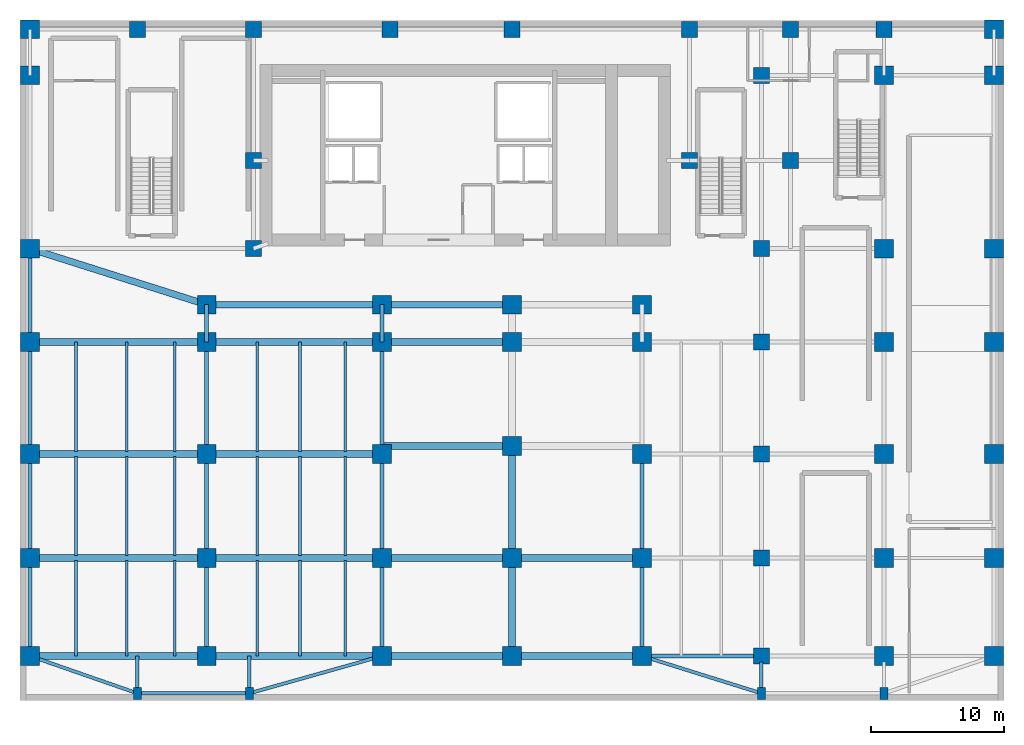
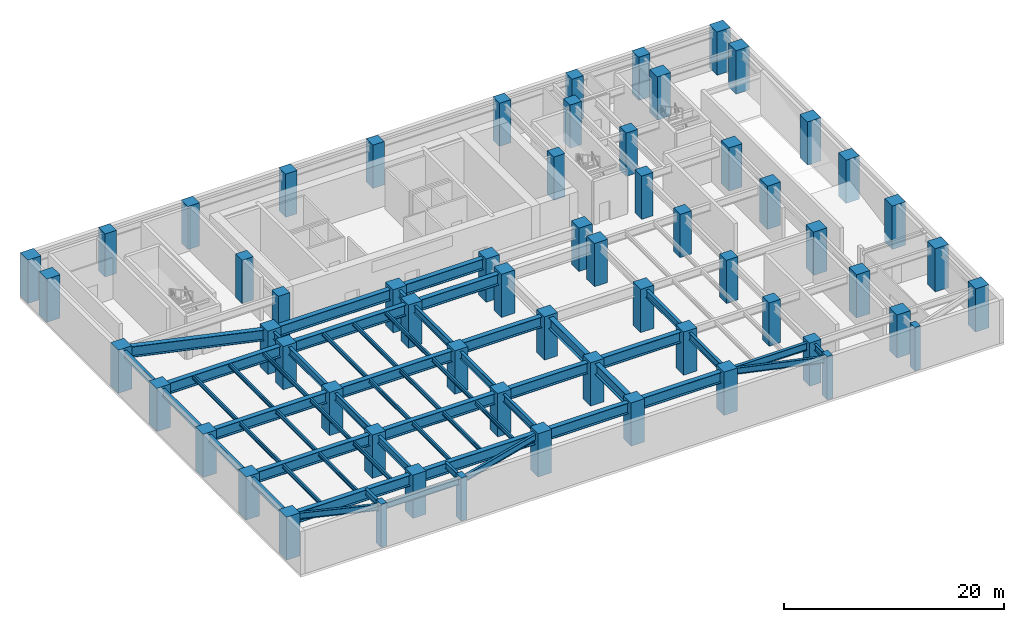
# One storey, part 1 of 8: 61 columns, 59 beams.
"""IFC4 building model written with IfcOpenShell, lengths in metres."""

from ifc_helpers import new_model, si_unit, direction, frame, origin, origin_2d, place, context, subcontext, project, spatial, rectangle, i_section, extrude, source, transform, mapped, material, material_profile, profile_set, type_object, type_shapes, element, save


model = new_model("IFC4")

# Units and contexts
model_context = context("Model", 3, precision=1e-05, world=origin(), true_north=direction((0.0, 1.0)))
body_context = subcontext(model_context, "Body", "Model", "MODEL_VIEW")
ifc_project = project(units=[si_unit("LENGTHUNIT", "METRE"), si_unit("AREAUNIT", "SQUARE_METRE"), si_unit("VOLUMEUNIT", "CUBIC_METRE"), si_unit("PLANEANGLEUNIT", "RADIAN"), si_unit("MASSUNIT", "GRAM", prefix="KILO")], contexts=[model_context])

# Site, building, storey
site_placement = place(None, origin())
site = spatial("IfcSite", under=ifc_project, at=site_placement, CompositionType="ELEMENT")
building_placement = place(site_placement, origin())
building = spatial("IfcBuilding", under=site, at=building_placement, Name="Tolvann Quenvar Hotel", CompositionType="ELEMENT")
storey_placement = place(building_placement, frame((0.0, 0.0, -9.60009765625)))
storey = spatial("IfcBuildingStorey", under=building, at=storey_placement, Name="B02", CompositionType="ELEMENT", Elevation=-9.60009765625)

# Columns
ifc_material_1 = material(Name="Concrete S80 (80 MPa)", Category="concrete")
ifc_material_profile_1 = material_profile(ifc_material_1, rectangle(XDim=1.39990234375, YDim=1.39990234375, at=origin_2d()), Name="RC1400x1400")
ifc_profile_set_1 = profile_set([ifc_material_profile_1], Name="Concrete S80 (80 MPa)")
column_type_1 = type_object("IfcColumnType", Name="COL_RC1400", PredefinedType="COLUMN", material=ifc_profile_set_1)
shared_shape_1 = source(origin(), body_context, "Body", "SweptSolid", [
    extrude(rectangle(XDim=1.39990234375, YDim=1.39990234375, at=origin_2d()), origin(), (0.0, 0.0, 1.0), 4.800048828125),
])
type_shapes(column_type_1, [shared_shape_1])
for number, where, z_axis, x_axis, name in (
    (1, (-7.64990234375, 0.85009765625, 0.0), (0.0, 0.0, 1.0), (1.0, 0.0, 0.0), "Column PA1 (B02)"),
    (2, (64.64990234375, 0.85009765625, 0.0), (0.0, 0.0, 1.0), (1.0, 0.0, 0.0), "Column PK1 (B02)"),
    (3, (-7.64990234375, 8.199951171875, 0.0), (0.0, 0.0, 1.0), (1.0, 0.0, 0.0), "Column PA2 (B02)"),
    (4, (64.64990234375, 8.199951171875, 0.0), (0.0, 0.0, 1.0), (1.0, 0.0, 0.0), "Column PK2 (B02)"),
    (5, (-7.64990234375, 16.0, 0.0), (0.0, 0.0, 1.0), (1.0, 0.0, 0.0), "Column PA3 (B02)"),
    (6, (64.64990234375, 16.0, 0.0), (0.0, 0.0, 1.0), (1.0, 0.0, 0.0), "Column PK3 (B02)"),
    (7, (-7.64990234375, 24.39990234375, 0.0), (0.0, 0.0, 1.0), (1.0, 0.0, 0.0), "Column PA4 (B02)"),
    (8, (64.64990234375, 24.39990234375, 0.0), (0.0, 0.0, 1.0), (1.0, 0.0, 0.0), "Column PK4 (B02)"),
    (9, (-7.64990234375, 31.39990234375, 0.0), (0.0, 0.0, 1.0), (1.0, 0.0, 0.0), "Column PA5 (B02)"),
    (10, (64.64990234375, 31.39990234375, 0.0), (0.0, 0.0, 1.0), (1.0, 0.0, 0.0), "Column PK5 (B02)"),
    (11, (-7.64990234375, 44.39990234375, 0.0), (0.0, 0.0, 1.0), (1.0, 0.0, 0.0), "Column PA6 (B02)"),
    (12, (64.64990234375, 44.39990234375, 0.0), (0.0, 0.0, 1.0), (1.0, 0.0, 0.0), "Column PK6 (B02)"),
    (13, (-7.64990234375, 47.85009765625, 0.0), (0.0, 0.0, 1.0), (1.0, 0.0, 0.0), "Column PAN (B02)"),
    (14, (64.64990234375, 47.85009765625, 0.0), (0.0, 0.0, 1.0), (1.0, 0.0, 0.0), "Column PKN (B02)"),
    (15, (18.75, 0.85009765625, 0.0), (0.0, 0.0, 1.0), (1.0, 0.0, 0.0), "Column PAPW1 (B02)"),
    (16, (38.25, 0.85009765625, 0.0), (0.0, 0.0, 1.0), (1.0, 0.0, 0.0), "Column PAPE1 (B02)"),
    (17, (18.75, 8.199951171875, 0.0), (0.0, 0.0, 1.0), (1.0, 0.0, 0.0), "Column PAPW2 (B02)"),
    (18, (38.25, 8.199951171875, 0.0), (0.0, 0.0, 1.0), (1.0, 0.0, 0.0), "Column PAPE2 (B02)"),
    (19, (18.75, 16.0, 0.0), (0.0, 0.0, 1.0), (1.0, 0.0, 0.0), "Column PAPW3 (B02)"),
    (20, (38.25, 16.0, 0.0), (0.0, 0.0, 1.0), (1.0, 0.0, 0.0), "Column PAPE3 (B02)"),
    (21, (18.75, 24.39990234375, 0.0), (0.0, 0.0, 1.0), (1.0, 0.0, 0.0), "Column PAPW4 (B02)"),
    (22, (38.25, 24.39990234375, 0.0), (0.0, 0.0, 1.0), (1.0, 0.0, 0.0), "Column PAPE4 (B02)"),
    (23, (18.75, 27.199951171875, 0.0), (0.0, 0.0, 1.0), (1.0, 0.0, 0.0), "Column PAPW5 (B02)"),
    (24, (38.25, 27.199951171875, 0.0), (0.0, 0.0, 1.0), (1.0, 0.0, 0.0), "Column PAPE5 (B02)"),
    (25, (56.39990234375, 0.85009765625, 0.0), (0.0, 0.0, 1.0), (1.0, 0.0, 0.0), "Column PJ1 (B02)"),
    (26, (56.39990234375, 8.199951171875, 0.0), (0.0, 0.0, 1.0), (1.0, 0.0, 0.0), "Column PJ2 (B02)"),
    (27, (56.39990234375, 16.0, 0.0), (0.0, 0.0, 1.0), (1.0, 0.0, 0.0), "Column PJ3 (B02)"),
    (28, (56.39990234375, 24.39990234375, 0.0), (0.0, 0.0, 1.0), (1.0, 0.0, 0.0), "Column PJ4 (B02)"),
    (29, (56.39990234375, 31.39990234375, 0.0), (0.0, 0.0, 1.0), (1.0, 0.0, 0.0), "Column PJ5 (B02)"),
    (30, (56.39990234375, 44.39990234375, 0.0), (0.0, 0.0, 1.0), (1.0, 0.0, 0.0), "Column PJ6 (B02)"),
    (31, (5.60009765625, 0.85009765625, 0.0), (0.0, 0.0, 1.0), (1.0, 0.0, 0.0), "Column PBAL1 (B02)"),
    (32, (5.60009765625, 8.199951171875, 0.0), (0.0, 0.0, 1.0), (1.0, 0.0, 0.0), "Column PBAL2 (B02)"),
    (33, (5.60009765625, 16.0, 0.0), (0.0, 0.0, 1.0), (1.0, 0.0, 0.0), "Column PBAL3 (B02)"),
    (34, (5.60009765625, 24.39990234375, 0.0), (0.0, 0.0, 1.0), (1.0, 0.0, 0.0), "Column PBAL4 (B02)"),
    (35, (5.60009765625, 27.199951171875, 0.0), (0.0, 0.0, 1.0), (1.0, 0.0, 0.0), "Column PBAL5 (B02)"),
    (36, (28.5, 0.85009765625, 0.0), (0.0, 0.0, 1.0), (1.0, 0.0, 0.0), "Column PARCH1 (B02)"),
    (37, (28.5, 8.199951171875, 0.0), (0.0, 0.0, 1.0), (1.0, 0.0, 0.0), "Column PARCH2 (B02)"),
    (38, (28.5, 16.60009765625, 0.0), (0.0, 0.0, 1.0), (1.0, 0.0, 0.0), "Column PARCH3 (B02)"),
    (39, (28.5, 24.39990234375, 0.0), (0.0, 0.0, 1.0), (1.0, 0.0, 0.0), "Column PARCH4 (B02)"),
    (40, (28.5, 27.199951171875, 0.0), (0.0, 0.0, 1.0), (1.0, 0.0, 0.0), "Column PARCH5 (B02)"),
):
    element("IfcColumn", number, at=place(storey_placement, frame(where, z_axis=z_axis, x_axis=x_axis)), inside=storey, type_object=column_type_1, Name=name, PredefinedType="COLUMN", context=body_context, shape_type="MappedRepresentation", body=[
        mapped(shared_shape_1, transform((0.0, 0.0, 0.0), x_axis=(1.0, 0.0, 0.0), y_axis=(0.0, 1.0, 0.0), z_axis=(0.0, 0.0, 1.0), scale=1.0)),
    ])
ifc_material_profile_2 = material_profile(ifc_material_1, rectangle(XDim=1.199951171875, YDim=1.199951171875, at=origin_2d()), Name="RC1200x1200")
ifc_profile_set_2 = profile_set([ifc_material_profile_2], Name="Concrete S80 (80 MPa)")
column_type_2 = type_object("IfcColumnType", Name="COL_RC1200", PredefinedType="COLUMN", material=ifc_profile_set_2)
shared_shape_2 = source(origin(), body_context, "Body", "SweptSolid", [
    extrude(rectangle(XDim=1.199951171875, YDim=1.199951171875, at=origin_2d()), origin(), (0.0, 0.0, 1.0), 4.800048828125),
])
type_shapes(column_type_2, [shared_shape_2])
for number, where, z_axis, x_axis, name in (
    (41, (47.199951171875, 0.85009765625, 0.0), (0.0, 0.0, 1.0), (1.0, 0.0, 0.0), "Column PH1 (B02)"),
    (42, (47.199951171875, 8.199951171875, 0.0), (0.0, 0.0, 1.0), (1.0, 0.0, 0.0), "Column PH2 (B02)"),
    (43, (47.199951171875, 16.0, 0.0), (0.0, 0.0, 1.0), (1.0, 0.0, 0.0), "Column PH3 (B02)"),
    (44, (47.199951171875, 24.39990234375, 0.0), (0.0, 0.0, 1.0), (1.0, 0.0, 0.0), "Column PH4 (B02)"),
    (45, (47.199951171875, 31.39990234375, 0.0), (0.0, 0.0, 1.0), (1.0, 0.0, 0.0), "Column PH5 (B02)"),
    (46, (47.199951171875, 44.39990234375, 0.0), (0.0, 0.0, 1.0), (1.0, 0.0, 0.0), "Column PH6 (B02)"),
    (47, (0.39990234375, 47.85009765625, 0.0), (0.0, 0.0, 1.0), (1.0, 0.0, 0.0), "Column PN1 (B02)"),
    (48, (9.10009765625, 47.85009765625, 0.0), (0.0, 0.0, 1.0), (1.0, 0.0, 0.0), "Column PN2 (B02)"),
    (49, (19.35009765625, 47.85009765625, 0.0), (0.0, 0.0, 1.0), (1.0, 0.0, 0.0), "Column PN3 (B02)"),
    (50, (28.5, 47.85009765625, 0.0), (0.0, 0.0, 1.0), (1.0, 0.0, 0.0), "Column PN4 (B02)"),
    (51, (41.800048828125, 47.85009765625, 0.0), (0.0, 0.0, 1.0), (1.0, 0.0, 0.0), "Column PN5 (B02)"),
    (52, (49.39990234375, 47.85009765625, 0.0), (0.0, 0.0, 1.0), (1.0, 0.0, 0.0), "Column PN6 (B02)"),
    (53, (56.39990234375, 47.85009765625, 0.0), (0.0, 0.0, 1.0), (1.0, 0.0, 0.0), "Column PN7 (B02)"),
    (54, (9.10009765625, 38.0, 0.0), (0.0, 0.0, 1.0), (1.0, 0.0, 0.0), "Column PCN (B02)"),
    (55, (41.800048828125, 38.0, 0.0), (0.0, 0.0, 1.0), (1.0, 0.0, 0.0), "Column PHN (B02)"),
    (56, (49.39990234375, 38.0, 0.0), (0.0, 0.0, 1.0), (1.0, 0.0, 0.0), "Column PIN (B02)"),
    (57, (9.10009765625, 31.39990234375, 0.0), (0.0, 0.0, 1.0), (1.0, 0.0, 0.0), "Column PCNS (B02)"),
):
    element("IfcColumn", number, at=place(storey_placement, frame(where, z_axis=z_axis, x_axis=x_axis)), inside=storey, type_object=column_type_2, Name=name, PredefinedType="COLUMN", context=body_context, shape_type="MappedRepresentation", body=[
        mapped(shared_shape_2, transform((0.0, 0.0, 0.0), x_axis=(1.0, 0.0, 0.0), y_axis=(0.0, 1.0, 0.0), z_axis=(0.0, 0.0, 1.0), scale=1.0)),
    ])
ifc_material_2 = material(Name="Concrete N50 (50 MPa)", Category="concrete")
ifc_material_profile_3 = material_profile(ifc_material_2, rectangle(XDim=0.60009765625, YDim=0.89990234375, at=origin_2d()), Name="RC600x900")
ifc_profile_set_3 = profile_set([ifc_material_profile_3], Name="Concrete N50 (50 MPa)")
column_type_3 = type_object("IfcColumnType", Name="COL_PILASTER_600x900", PredefinedType="PILASTER", material=ifc_profile_set_3)
shared_shape_3 = source(origin(), body_context, "Body", "SweptSolid", [
    extrude(rectangle(XDim=0.60009765625, YDim=0.89990234375, at=origin_2d()), origin(), (0.0, 0.0, 1.0), 4.800048828125),
])
type_shapes(column_type_3, [shared_shape_3])
for number, where, z_axis, x_axis, name in (
    (58, (0.39990234375, -1.949951171875, 0.0), (0.0, 0.0, 1.0), (1.0, 0.0, 0.0), "Column PIL-S1 (B02)"),
    (59, (8.800048828125, -1.949951171875, 0.0), (0.0, 0.0, 1.0), (1.0, 0.0, 0.0), "Column PIL-S2 (B02)"),
    (60, (47.199951171875, -1.949951171875, 0.0), (0.0, 0.0, 1.0), (1.0, 0.0, 0.0), "Column PIL-S3 (B02)"),
    (61, (56.39990234375, -1.949951171875, 0.0), (0.0, 0.0, 1.0), (1.0, 0.0, 0.0), "Column PIL-S4 (B02)"),
):
    element("IfcColumn", number, at=place(storey_placement, frame(where, z_axis=z_axis, x_axis=x_axis)), inside=storey, type_object=column_type_3, Name=name, PredefinedType="PILASTER", context=body_context, shape_type="MappedRepresentation", body=[
        mapped(shared_shape_3, transform((0.0, 0.0, 0.0), x_axis=(1.0, 0.0, 0.0), y_axis=(0.0, 1.0, 0.0), z_axis=(0.0, 0.0, 1.0), scale=1.0)),
    ])

# Beams
ifc_material_3 = material(Name="Steel Grade 350", Category="steel")
ifc_material_profile_4 = material_profile(ifc_material_3, i_section(OverallWidth=0.5, OverallDepth=1.199951171875, WebThickness=0.01611328125, FlangeThickness=0.0400390625, at=origin_2d()), Name="1200WB455")
ifc_profile_set_4 = profile_set([ifc_material_profile_4], Name="Steel Grade 350")
beam_type_1 = type_object("IfcBeamType", Name="BM_TG_1200WB455", PredefinedType="USERDEFINED", material=ifc_profile_set_4)
shared_shape_4 = source(origin(), body_context, "Body", "SweptSolid", [
    extrude(i_section(OverallWidth=0.5, OverallDepth=1.199951171875, WebThickness=0.01611328125, FlangeThickness=0.0400390625, at=origin_2d()), origin(), (0.0, 0.0, 1.0), 13.25),
])
for number, where, z_axis, x_axis, name in (
    (62, (-7.64990234375, 0.85009765625, 3.940185546875), (1.0, 0.0, 0.0), (0.0, 1.0, 0.0), "BM-B02-GW1-1"),
    (63, (-7.64990234375, 8.199951171875, 3.940185546875), (1.0, 0.0, 0.0), (0.0, 1.0, 0.0), "BM-B02-GW1-2"),
    (64, (-7.64990234375, 16.0, 3.940185546875), (1.0, 0.0, 0.0), (0.0, 1.0, 0.0), "BM-B02-GW1-3"),
    (65, (-7.64990234375, 24.39990234375, 3.940185546875), (1.0, 0.0, 0.0), (0.0, 1.0, 0.0), "BM-B02-GW1-4"),
):
    element("IfcBeam", number, at=place(storey_placement, frame(where, z_axis=z_axis, x_axis=x_axis)), inside=storey, type_object=beam_type_1, Name=name, ObjectType="TRANSFER GIRDER", PredefinedType="USERDEFINED", context=body_context, shape_type="MappedRepresentation", body=[
        mapped(shared_shape_4, transform((0.0, 0.0, 0.0), x_axis=(1.0, 0.0, 0.0), y_axis=(0.0, 1.0, 0.0), z_axis=(0.0, 0.0, 1.0), scale=1.0)),
    ])
shared_shape_5 = source(origin(), body_context, "Body", "SweptSolid", [
    extrude(i_section(OverallWidth=0.5, OverallDepth=1.199951171875, WebThickness=0.01611328125, FlangeThickness=0.0400390625, at=origin_2d()), origin(), (0.0, 0.0, 1.0), 13.14990234375),
])
for number, where, z_axis, x_axis, name in (
    (66, (5.60009765625, 0.85009765625, 3.940185546875), (1.0, 0.0, 0.0), (0.0, 1.0, 0.0), "BM-B02-GW2-1"),
    (67, (5.60009765625, 8.199951171875, 3.940185546875), (1.0, 0.0, 0.0), (0.0, 1.0, 0.0), "BM-B02-GW2-2"),
    (68, (5.60009765625, 16.0, 3.940185546875), (1.0, 0.0, 0.0), (0.0, 1.0, 0.0), "BM-B02-GW2-3"),
    (69, (5.60009765625, 24.39990234375, 3.940185546875), (1.0, 0.0, 0.0), (0.0, 1.0, 0.0), "BM-B02-GW2-4"),
    (70, (5.60009765625, 27.199951171875, 3.940185546875), (1.0, 0.0, 0.0), (0.0, 1.0, 0.0), "BM-B02-GW2-5"),
):
    element("IfcBeam", number, at=place(storey_placement, frame(where, z_axis=z_axis, x_axis=x_axis)), inside=storey, type_object=beam_type_1, Name=name, ObjectType="TRANSFER GIRDER", PredefinedType="USERDEFINED", context=body_context, shape_type="MappedRepresentation", body=[
        mapped(shared_shape_5, transform((0.0, 0.0, 0.0), x_axis=(1.0, 0.0, 0.0), y_axis=(0.0, 1.0, 0.0), z_axis=(0.0, 0.0, 1.0), scale=1.0)),
    ])
shared_shape_6 = source(origin(), body_context, "Body", "SweptSolid", [
    extrude(i_section(OverallWidth=0.5, OverallDepth=1.199951171875, WebThickness=0.01611328125, FlangeThickness=0.0400390625, at=origin_2d()), origin(), (0.0, 0.0, 1.0), 13.899658203125),
])
beam_1_placement = place(storey_placement, frame((-7.64990234375, 31.39990234375, 3.940185546875), z_axis=(0.953256923778, -0.302160945971, 0.0), x_axis=(0.302160945971, 0.953256923778, 0.0)))
element("IfcBeam", 71, at=beam_1_placement, inside=storey, type_object=beam_type_1, Name="BM-B02-GW1-5", ObjectType="TRANSFER GIRDER", PredefinedType="USERDEFINED", context=body_context, shape_type="MappedRepresentation", body=[
    mapped(shared_shape_6, transform((0.0, 0.0, 0.0), x_axis=(1.0, 0.0, 0.0), y_axis=(0.0, 1.0, 0.0), z_axis=(0.0, 0.0, 1.0), scale=1.0)),
])
ifc_material_profile_5 = material_profile(ifc_material_3, i_section(OverallWidth=0.300048828125, OverallDepth=0.81591796875, WebThickness=0.010009765625, FlangeThickness=0.028076171875, at=origin_2d()), Name="800WB192")
ifc_profile_set_5 = profile_set([ifc_material_profile_5], Name="Steel Grade 350")
beam_type_2 = type_object("IfcBeamType", Name="BM_GIRD_800WB192", PredefinedType="BEAM", material=ifc_profile_set_5)
shared_shape_7 = source(origin(), body_context, "Body", "SweptSolid", [
    extrude(i_section(OverallWidth=0.300048828125, OverallDepth=0.81591796875, WebThickness=0.010009765625, FlangeThickness=0.028076171875, at=origin_2d()), origin(), (0.0, 0.0, 1.0), 7.349853515625),
])
for number, where, z_axis, x_axis, name in (
    (72, (5.60009765625, 0.85009765625, 4.132080078125), (0.0, 1.0, 0.0), (-1.0, 0.0, 0.0), "BM-B02-NS-PBAL-0"),
    (73, (-7.64990234375, 0.85009765625, 4.132080078125), (0.0, 1.0, 0.0), (-1.0, 0.0, 0.0), "BM-B02-NS-A-0"),
    (74, (18.75, 0.85009765625, 4.132080078125), (0.0, 1.0, 0.0), (-1.0, 0.0, 0.0), "BM-B02-NS-APW-0"),
    (75, (38.25, 0.85009765625, 4.132080078125), (0.0, 1.0, 0.0), (-1.0, 0.0, 0.0), "BM-B02-NS-APE-0"),
):
    element("IfcBeam", number, at=place(storey_placement, frame(where, z_axis=z_axis, x_axis=x_axis)), inside=storey, type_object=beam_type_2, Name=name, PredefinedType="BEAM", context=body_context, shape_type="MappedRepresentation", body=[
        mapped(shared_shape_7, transform((0.0, 0.0, 0.0), x_axis=(1.0, 0.0, 0.0), y_axis=(0.0, 1.0, 0.0), z_axis=(0.0, 0.0, 1.0), scale=1.0)),
    ])
shared_shape_8 = source(origin(), body_context, "Body", "SweptSolid", [
    extrude(i_section(OverallWidth=0.300048828125, OverallDepth=0.81591796875, WebThickness=0.010009765625, FlangeThickness=0.028076171875, at=origin_2d()), origin(), (0.0, 0.0, 1.0), 7.800048828125),
])
for number, where, z_axis, x_axis, name in (
    (76, (5.60009765625, 8.199951171875, 4.132080078125), (0.0, 1.0, 0.0), (-1.0, 0.0, 0.0), "BM-B02-NS-PBAL-1"),
    (77, (-7.64990234375, 8.199951171875, 4.132080078125), (0.0, 1.0, 0.0), (-1.0, 0.0, 0.0), "BM-B02-NS-A-1"),
    (78, (18.75, 8.199951171875, 4.132080078125), (0.0, 1.0, 0.0), (-1.0, 0.0, 0.0), "BM-B02-NS-APW-1"),
    (79, (38.25, 8.199951171875, 4.132080078125), (0.0, 1.0, 0.0), (-1.0, 0.0, 0.0), "BM-B02-NS-APE-1"),
):
    element("IfcBeam", number, at=place(storey_placement, frame(where, z_axis=z_axis, x_axis=x_axis)), inside=storey, type_object=beam_type_2, Name=name, PredefinedType="BEAM", context=body_context, shape_type="MappedRepresentation", body=[
        mapped(shared_shape_8, transform((0.0, 0.0, 0.0), x_axis=(1.0, 0.0, 0.0), y_axis=(0.0, 1.0, 0.0), z_axis=(0.0, 0.0, 1.0), scale=1.0)),
    ])
shared_shape_9 = source(origin(), body_context, "Body", "SweptSolid", [
    extrude(i_section(OverallWidth=0.300048828125, OverallDepth=0.81591796875, WebThickness=0.010009765625, FlangeThickness=0.028076171875, at=origin_2d()), origin(), (0.0, 0.0, 1.0), 8.39990234375),
])
for number, where, z_axis, x_axis, name in (
    (80, (5.60009765625, 16.0, 4.132080078125), (0.0, 1.0, 0.0), (-1.0, 0.0, 0.0), "BM-B02-NS-PBAL-2"),
    (81, (-7.64990234375, 16.0, 4.132080078125), (0.0, 1.0, 0.0), (-1.0, 0.0, 0.0), "BM-B02-NS-A-2"),
    (82, (18.75, 16.0, 4.132080078125), (0.0, 1.0, 0.0), (-1.0, 0.0, 0.0), "BM-B02-NS-APW-2"),
):
    element("IfcBeam", number, at=place(storey_placement, frame(where, z_axis=z_axis, x_axis=x_axis)), inside=storey, type_object=beam_type_2, Name=name, PredefinedType="BEAM", context=body_context, shape_type="MappedRepresentation", body=[
        mapped(shared_shape_9, transform((0.0, 0.0, 0.0), x_axis=(1.0, 0.0, 0.0), y_axis=(0.0, 1.0, 0.0), z_axis=(0.0, 0.0, 1.0), scale=1.0)),
    ])
shared_shape_10 = source(origin(), body_context, "Body", "SweptSolid", [
    extrude(i_section(OverallWidth=0.300048828125, OverallDepth=0.81591796875, WebThickness=0.010009765625, FlangeThickness=0.028076171875, at=origin_2d()), origin(), (0.0, 0.0, 1.0), 2.800048828125),
])
for number, where, z_axis, x_axis, name in (
    (83, (5.60009765625, 24.39990234375, 4.132080078125), (0.0, 1.0, 0.0), (-1.0, 0.0, 0.0), "BM-B02-NS-PBAL-3"),
    (84, (18.75, 24.39990234375, 4.132080078125), (0.0, 1.0, 0.0), (-1.0, 0.0, 0.0), "BM-B02-NS-APW-3"),
):
    element("IfcBeam", number, at=place(storey_placement, frame(where, z_axis=z_axis, x_axis=x_axis)), inside=storey, type_object=beam_type_2, Name=name, PredefinedType="BEAM", context=body_context, shape_type="MappedRepresentation", body=[
        mapped(shared_shape_10, transform((0.0, 0.0, 0.0), x_axis=(1.0, 0.0, 0.0), y_axis=(0.0, 1.0, 0.0), z_axis=(0.0, 0.0, 1.0), scale=1.0)),
    ])
shared_shape_11 = source(origin(), body_context, "Body", "SweptSolid", [
    extrude(i_section(OverallWidth=0.5, OverallDepth=1.199951171875, WebThickness=0.01611328125, FlangeThickness=0.0400390625, at=origin_2d()), origin(), (0.0, 0.0, 1.0), 9.75),
])
for number, where, z_axis, x_axis, name in (
    (85, (18.75, 0.85009765625, 3.940185546875), (1.0, 0.0, 0.0), (0.0, 1.0, 0.0), "BM-B02-GA1-8"),
    (86, (28.5, 0.85009765625, 3.940185546875), (1.0, 0.0, 0.0), (0.0, 1.0, 0.0), "BM-B02-GA2-8"),
    (87, (18.75, 8.199951171875, 3.940185546875), (1.0, 0.0, 0.0), (0.0, 1.0, 0.0), "BM-B02-GA1-82"),
    (88, (28.5, 8.199951171875, 3.940185546875), (1.0, 0.0, 0.0), (0.0, 1.0, 0.0), "BM-B02-GA2-82"),
    (89, (18.75, 16.60009765625, 3.940185546875), (1.0, 0.0, 0.0), (0.0, 1.0, 0.0), "BM-B02-GA1-166"),
    (90, (18.75, 24.39990234375, 3.940185546875), (1.0, 0.0, 0.0), (0.0, 1.0, 0.0), "BM-B02-GA1-244"),
    (91, (18.75, 27.199951171875, 3.940185546875), (1.0, 0.0, 0.0), (0.0, 1.0, 0.0), "BM-B02-GA1-272"),
):
    element("IfcBeam", number, at=place(storey_placement, frame(where, z_axis=z_axis, x_axis=x_axis)), inside=storey, type_object=beam_type_1, Name=name, ObjectType="TRANSFER GIRDER", PredefinedType="USERDEFINED", context=body_context, shape_type="MappedRepresentation", body=[
        mapped(shared_shape_11, transform((0.0, 0.0, 0.0), x_axis=(1.0, 0.0, 0.0), y_axis=(0.0, 1.0, 0.0), z_axis=(0.0, 0.0, 1.0), scale=1.0)),
    ])
shared_shape_12 = source(origin(), body_context, "Body", "SweptSolid", [
    extrude(i_section(OverallWidth=0.5, OverallDepth=1.199951171875, WebThickness=0.01611328125, FlangeThickness=0.0400390625, at=origin_2d()), origin(), (0.0, 0.0, 1.0), 7.349853515625),
])
beam_2_placement = place(storey_placement, frame((28.5, 0.85009765625, 3.940185546875), z_axis=(0.0, 1.0, 0.0), x_axis=(-1.0, 0.0, 0.0)))
element("IfcBeam", 92, at=beam_2_placement, inside=storey, type_object=beam_type_1, Name="BM-B02-ARCH-NS-0", ObjectType="TRANSFER GIRDER", PredefinedType="USERDEFINED", context=body_context, shape_type="MappedRepresentation", body=[
    mapped(shared_shape_12, transform((0.0, 0.0, 0.0), x_axis=(1.0, 0.0, 0.0), y_axis=(0.0, 1.0, 0.0), z_axis=(0.0, 0.0, 1.0), scale=1.0)),
])
shared_shape_13 = source(origin(), body_context, "Body", "SweptSolid", [
    extrude(i_section(OverallWidth=0.5, OverallDepth=1.199951171875, WebThickness=0.01611328125, FlangeThickness=0.0400390625, at=origin_2d()), origin(), (0.0, 0.0, 1.0), 8.400146484375),
])
type_shapes(beam_type_1, [shared_shape_4, shared_shape_5, shared_shape_6, shared_shape_11, shared_shape_12, shared_shape_13])
beam_3_placement = place(storey_placement, frame((28.5, 8.199951171875, 3.940185546875), z_axis=(0.0, 1.0, 0.0), x_axis=(-1.0, 0.0, 0.0)))
element("IfcBeam", 93, at=beam_3_placement, inside=storey, type_object=beam_type_1, Name="BM-B02-ARCH-NS-8", ObjectType="TRANSFER GIRDER", PredefinedType="USERDEFINED", context=body_context, shape_type="MappedRepresentation", body=[
    mapped(shared_shape_13, transform((0.0, 0.0, 0.0), x_axis=(1.0, 0.0, 0.0), y_axis=(0.0, 1.0, 0.0), z_axis=(0.0, 0.0, 1.0), scale=1.0)),
])
shared_shape_14 = source(origin(), body_context, "Body", "SweptSolid", [
    extrude(i_section(OverallWidth=0.300048828125, OverallDepth=0.81591796875, WebThickness=0.010009765625, FlangeThickness=0.028076171875, at=origin_2d()), origin(), (0.0, 0.0, 1.0), 8.949951171875),
])
beam_4_placement = place(storey_placement, frame((38.25, 0.85009765625, 4.132080078125), z_axis=(1.0, 0.0, 0.0), x_axis=(0.0, 1.0, 0.0)))
element("IfcBeam", 94, at=beam_4_placement, inside=storey, type_object=beam_type_2, Name="BM-B02-GE1-1", PredefinedType="BEAM", context=body_context, shape_type="MappedRepresentation", body=[
    mapped(shared_shape_14, transform((0.0, 0.0, 0.0), x_axis=(1.0, 0.0, 0.0), y_axis=(0.0, 1.0, 0.0), z_axis=(0.0, 0.0, 1.0), scale=1.0)),
])
shared_shape_15 = source(origin(), body_context, "Body", "SweptSolid", [
    extrude(i_section(OverallWidth=0.300048828125, OverallDepth=0.81591796875, WebThickness=0.010009765625, FlangeThickness=0.028076171875, at=origin_2d()), origin(), (0.0, 0.0, 1.0), 7.0),
])
type_shapes(beam_type_2, [shared_shape_7, shared_shape_8, shared_shape_9, shared_shape_10, shared_shape_14, shared_shape_15])
beam_5_placement = place(storey_placement, frame((-7.64990234375, 24.39990234375, 4.132080078125), z_axis=(0.0, 1.0, 0.0), x_axis=(-1.0, 0.0, 0.0)))
element("IfcBeam", 95, at=beam_5_placement, inside=storey, type_object=beam_type_2, Name="BM-B02-NS-A-3", PredefinedType="BEAM", context=body_context, shape_type="MappedRepresentation", body=[
    mapped(shared_shape_15, transform((0.0, 0.0, 0.0), x_axis=(1.0, 0.0, 0.0), y_axis=(0.0, 1.0, 0.0), z_axis=(0.0, 0.0, 1.0), scale=1.0)),
])
ifc_material_profile_6 = material_profile(ifc_material_3, i_section(OverallWidth=0.25, OverallDepth=0.699951171875, WebThickness=0.010009765625, FlangeThickness=0.02392578125, at=origin_2d()), Name="700WB150")
ifc_profile_set_6 = profile_set([ifc_material_profile_6], Name="Steel Grade 350")
beam_type_3 = type_object("IfcBeamType", Name="BM_GIRD_700WB150", PredefinedType="BEAM", material=ifc_profile_set_6)
shared_shape_16 = source(origin(), body_context, "Body", "SweptSolid", [
    extrude(i_section(OverallWidth=0.25, OverallDepth=0.699951171875, WebThickness=0.010009765625, FlangeThickness=0.02392578125, at=origin_2d()), origin(), (0.0, 0.0, 1.0), 2.349853515625),
])
beam_6_placement = place(storey_placement, frame((47.199951171875, -1.949951171875, 4.190185546875), z_axis=(0.0, 1.0, 0.0), x_axis=(-1.0, 0.0, 0.0)))
element("IfcBeam", 96, at=beam_6_placement, inside=storey, type_object=beam_type_3, Name="BM-B02-NSS-H", PredefinedType="BEAM", context=body_context, shape_type="MappedRepresentation", body=[
    mapped(shared_shape_16, transform((0.0, 0.0, 0.0), x_axis=(1.0, 0.0, 0.0), y_axis=(0.0, 1.0, 0.0), z_axis=(0.0, 0.0, 1.0), scale=1.0)),
])
shared_shape_17 = source(origin(), body_context, "Body", "SweptSolid", [
    extrude(i_section(OverallWidth=0.25, OverallDepth=0.699951171875, WebThickness=0.010009765625, FlangeThickness=0.02392578125, at=origin_2d()), origin(), (0.0, 0.0, 1.0), 8.52294921875),
])
beam_7_placement = place(storey_placement, frame((-7.64990234375, 0.85009765625, 4.190185546875), z_axis=(0.944492545724, -0.328532846261, 0.0), x_axis=(0.328532846261, 0.944492545724, 0.0)))
element("IfcBeam", 97, at=beam_7_placement, inside=storey, type_object=beam_type_3, Name="BM-B02-EWS-W0", PredefinedType="BEAM", context=body_context, shape_type="MappedRepresentation", body=[
    mapped(shared_shape_17, transform((0.0, 0.0, 0.0), x_axis=(1.0, 0.0, 0.0), y_axis=(0.0, 1.0, 0.0), z_axis=(0.0, 0.0, 1.0), scale=1.0)),
])
shared_shape_18 = source(origin(), body_context, "Body", "SweptSolid", [
    extrude(i_section(OverallWidth=0.25, OverallDepth=0.699951171875, WebThickness=0.010009765625, FlangeThickness=0.02392578125, at=origin_2d()), origin(), (0.0, 0.0, 1.0), 8.400146484375),
])
beam_8_placement = place(storey_placement, frame((0.39990234375, -1.949951171875, 4.190185546875), z_axis=(1.0, 0.0, 0.0), x_axis=(0.0, 1.0, 0.0)))
element("IfcBeam", 98, at=beam_8_placement, inside=storey, type_object=beam_type_3, Name="BM-B02-EWS-W1", PredefinedType="BEAM", context=body_context, shape_type="MappedRepresentation", body=[
    mapped(shared_shape_18, transform((0.0, 0.0, 0.0), x_axis=(1.0, 0.0, 0.0), y_axis=(0.0, 1.0, 0.0), z_axis=(0.0, 0.0, 1.0), scale=1.0)),
])
shared_shape_19 = source(origin(), body_context, "Body", "SweptSolid", [
    extrude(i_section(OverallWidth=0.25, OverallDepth=0.699951171875, WebThickness=0.010009765625, FlangeThickness=0.02392578125, at=origin_2d()), origin(), (0.0, 0.0, 1.0), 10.33642578125),
])
beam_9_placement = place(storey_placement, frame((8.800048828125, -1.949951171875, 4.190185546875), z_axis=(0.962609953155, 0.270891266169, 0.0), x_axis=(-0.270891266169, 0.962609953155, 0.0)))
element("IfcBeam", 99, at=beam_9_placement, inside=storey, type_object=beam_type_3, Name="BM-B02-EWS-W2", PredefinedType="BEAM", context=body_context, shape_type="MappedRepresentation", body=[
    mapped(shared_shape_19, transform((0.0, 0.0, 0.0), x_axis=(1.0, 0.0, 0.0), y_axis=(0.0, 1.0, 0.0), z_axis=(0.0, 0.0, 1.0), scale=1.0)),
])
shared_shape_20 = source(origin(), body_context, "Body", "SweptSolid", [
    extrude(i_section(OverallWidth=0.25, OverallDepth=0.699951171875, WebThickness=0.010009765625, FlangeThickness=0.02392578125, at=origin_2d()), origin(), (0.0, 0.0, 1.0), 9.377685546875),
])
beam_10_placement = place(storey_placement, frame((38.25, 0.85009765625, 4.190185546875), z_axis=(0.954383110647, -0.298584792166, 0.0), x_axis=(0.298584792166, 0.954383110647, 0.0)))
element("IfcBeam", 100, at=beam_10_placement, inside=storey, type_object=beam_type_3, Name="BM-B02-EWS-E0", PredefinedType="BEAM", context=body_context, shape_type="MappedRepresentation", body=[
    mapped(shared_shape_20, transform((0.0, 0.0, 0.0), x_axis=(1.0, 0.0, 0.0), y_axis=(0.0, 1.0, 0.0), z_axis=(0.0, 0.0, 1.0), scale=1.0)),
])
shared_shape_21 = source(origin(), body_context, "Body", "SweptSolid", [
    extrude(i_section(OverallWidth=0.25, OverallDepth=0.699951171875, WebThickness=0.010009765625, FlangeThickness=0.02392578125, at=origin_2d()), origin(), (0.0, 0.0, 1.0), 2.800048828125),
])
type_shapes(beam_type_3, [shared_shape_16, shared_shape_17, shared_shape_18, shared_shape_19, shared_shape_20, shared_shape_21])
for number, where, z_axis, x_axis, name in (
    (101, (0.39990234375, -1.949951171875, 4.190185546875), (0.0, 1.0, 0.0), (-1.0, 0.0, 0.0), "BM-B02-TIE-S-0"),
    (102, (8.800048828125, -1.949951171875, 4.190185546875), (0.0, 1.0, 0.0), (-1.0, 0.0, 0.0), "BM-B02-TIE-S-8"),
):
    element("IfcBeam", number, at=place(storey_placement, frame(where, z_axis=z_axis, x_axis=x_axis)), inside=storey, type_object=beam_type_3, Name=name, PredefinedType="BEAM", context=body_context, shape_type="MappedRepresentation", body=[
        mapped(shared_shape_21, transform((0.0, 0.0, 0.0), x_axis=(1.0, 0.0, 0.0), y_axis=(0.0, 1.0, 0.0), z_axis=(0.0, 0.0, 1.0), scale=1.0)),
    ])
ifc_material_profile_7 = material_profile(ifc_material_3, i_section(OverallWidth=0.18994140625, OverallDepth=0.4541015625, WebThickness=0.008544921875, FlangeThickness=0.0126953125, FilletRadius=0.011474609375, at=origin_2d()), Name="460UB67")
ifc_profile_set_7 = profile_set([ifc_material_profile_7], Name="Steel Grade 350")
beam_type_4 = type_object("IfcBeamType", Name="BM_JOIST_460UB67", PredefinedType="JOIST", material=ifc_profile_set_7)
shared_shape_22 = source(origin(), body_context, "Body", "SweptSolid", [
    extrude(i_section(OverallWidth=0.18994140625, OverallDepth=0.4541015625, WebThickness=0.008544921875, FlangeThickness=0.0126953125, FilletRadius=0.011474609375, at=origin_2d()), origin(), (0.0, 0.0, 1.0), 7.164794921875),
])
for number, where, z_axis, x_axis, name in (
    (103, (-4.199951171875, 0.85009765625, 4.31298828125), (0.0, 1.0, 0.0), (-1.0, 0.0, 0.0), "BJ-B02--42-8"),
    (104, (-0.39990234375, 0.85009765625, 4.31298828125), (0.0, 1.0, 0.0), (-1.0, 0.0, 0.0), "BJ-B02--4-8"),
    (105, (3.199951171875, 0.85009765625, 4.31298828125), (0.0, 1.0, 0.0), (-1.0, 0.0, 0.0), "BJ-B02-32-8"),
    (106, (9.39990234375, 0.85009765625, 4.31298828125), (0.0, 1.0, 0.0), (-1.0, 0.0, 0.0), "BJ-B02-94-8"),
    (107, (12.60009765625, 0.85009765625, 4.31298828125), (0.0, 1.0, 0.0), (-1.0, 0.0, 0.0), "BJ-B02-126-8"),
    (108, (16.0, 0.85009765625, 4.31298828125), (0.0, 1.0, 0.0), (-1.0, 0.0, 0.0), "BJ-B02-160-8"),
):
    element("IfcBeam", number, at=place(storey_placement, frame(where, z_axis=z_axis, x_axis=x_axis)), inside=storey, type_object=beam_type_4, Name=name, PredefinedType="JOIST", context=body_context, shape_type="MappedRepresentation", body=[
        mapped(shared_shape_22, transform((0.0, 0.0, 0.0), x_axis=(1.0, 0.0, 0.0), y_axis=(0.0, 1.0, 0.0), z_axis=(0.0, 0.0, 1.0), scale=1.0)),
    ])
shared_shape_23 = source(origin(), body_context, "Body", "SweptSolid", [
    extrude(i_section(OverallWidth=0.18994140625, OverallDepth=0.4541015625, WebThickness=0.008544921875, FlangeThickness=0.0126953125, FilletRadius=0.011474609375, at=origin_2d()), origin(), (0.0, 0.0, 1.0), 7.429931640625),
])
for number, where, z_axis, x_axis, name in (
    (109, (-4.199951171875, 8.385009765625, 4.31298828125), (0.0, 1.0, 0.0), (-1.0, 0.0, 0.0), "BJ-B02--42-82"),
    (110, (-0.39990234375, 8.385009765625, 4.31298828125), (0.0, 1.0, 0.0), (-1.0, 0.0, 0.0), "BJ-B02--4-82"),
    (111, (3.199951171875, 8.385009765625, 4.31298828125), (0.0, 1.0, 0.0), (-1.0, 0.0, 0.0), "BJ-B02-32-82"),
    (112, (9.39990234375, 8.385009765625, 4.31298828125), (0.0, 1.0, 0.0), (-1.0, 0.0, 0.0), "BJ-B02-94-82"),
    (113, (12.60009765625, 8.385009765625, 4.31298828125), (0.0, 1.0, 0.0), (-1.0, 0.0, 0.0), "BJ-B02-126-82"),
    (114, (16.0, 8.385009765625, 4.31298828125), (0.0, 1.0, 0.0), (-1.0, 0.0, 0.0), "BJ-B02-160-82"),
):
    element("IfcBeam", number, at=place(storey_placement, frame(where, z_axis=z_axis, x_axis=x_axis)), inside=storey, type_object=beam_type_4, Name=name, PredefinedType="JOIST", context=body_context, shape_type="MappedRepresentation", body=[
        mapped(shared_shape_23, transform((0.0, 0.0, 0.0), x_axis=(1.0, 0.0, 0.0), y_axis=(0.0, 1.0, 0.0), z_axis=(0.0, 0.0, 1.0), scale=1.0)),
    ])
shared_shape_24 = source(origin(), body_context, "Body", "SweptSolid", [
    extrude(i_section(OverallWidth=0.18994140625, OverallDepth=0.4541015625, WebThickness=0.008544921875, FlangeThickness=0.0126953125, FilletRadius=0.011474609375, at=origin_2d()), origin(), (0.0, 0.0, 1.0), 8.21484375),
])
type_shapes(beam_type_4, [shared_shape_22, shared_shape_23, shared_shape_24])
for number, where, z_axis, x_axis, name in (
    (115, (-4.199951171875, 16.18505859375, 4.31298828125), (0.0, 1.0, 0.0), (-1.0, 0.0, 0.0), "BJ-B02--42-160"),
    (116, (-0.39990234375, 16.18505859375, 4.31298828125), (0.0, 1.0, 0.0), (-1.0, 0.0, 0.0), "BJ-B02--4-160"),
    (117, (3.199951171875, 16.18505859375, 4.31298828125), (0.0, 1.0, 0.0), (-1.0, 0.0, 0.0), "BJ-B02-32-160"),
    (118, (9.39990234375, 16.18505859375, 4.31298828125), (0.0, 1.0, 0.0), (-1.0, 0.0, 0.0), "BJ-B02-94-160"),
    (119, (12.60009765625, 16.18505859375, 4.31298828125), (0.0, 1.0, 0.0), (-1.0, 0.0, 0.0), "BJ-B02-126-160"),
    (120, (16.0, 16.18505859375, 4.31298828125), (0.0, 1.0, 0.0), (-1.0, 0.0, 0.0), "BJ-B02-160-160"),
):
    element("IfcBeam", number, at=place(storey_placement, frame(where, z_axis=z_axis, x_axis=x_axis)), inside=storey, type_object=beam_type_4, Name=name, PredefinedType="JOIST", context=body_context, shape_type="MappedRepresentation", body=[
        mapped(shared_shape_24, transform((0.0, 0.0, 0.0), x_axis=(1.0, 0.0, 0.0), y_axis=(0.0, 1.0, 0.0), z_axis=(0.0, 0.0, 1.0), scale=1.0)),
    ])

save(model, "model.ifc")
